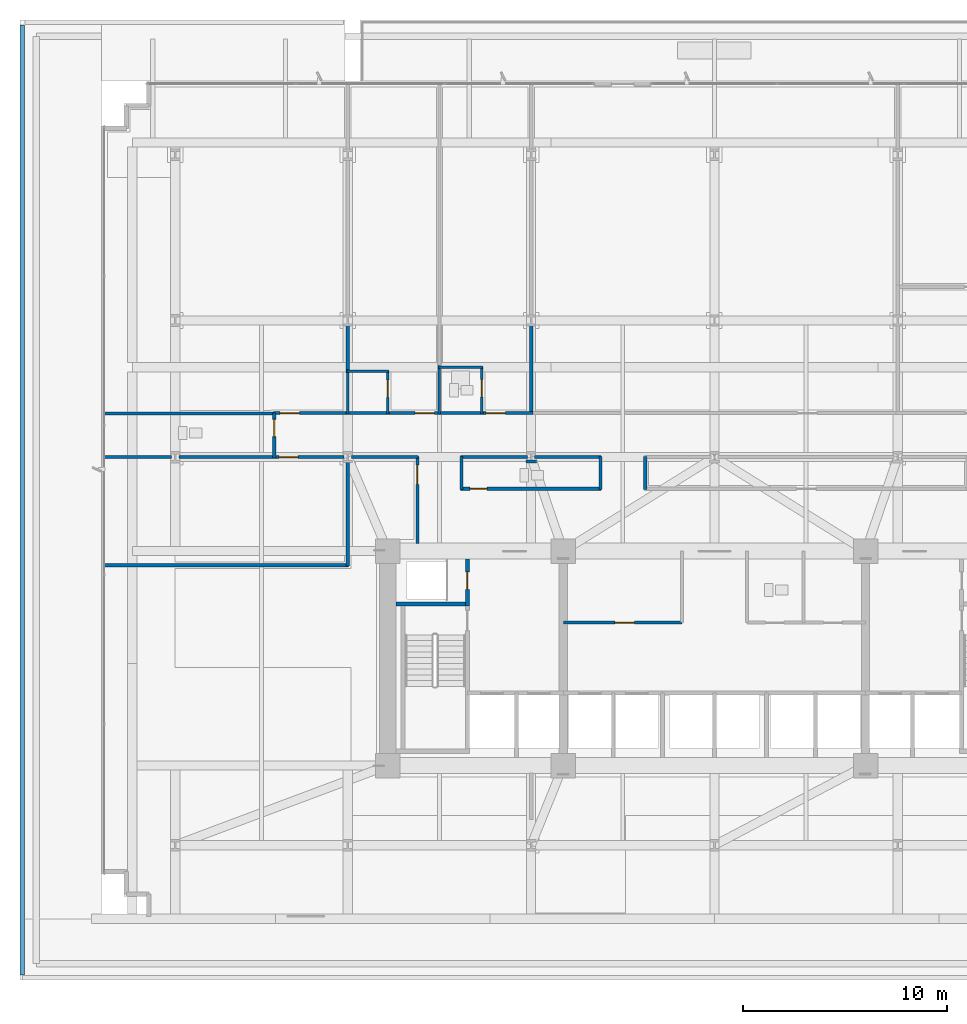
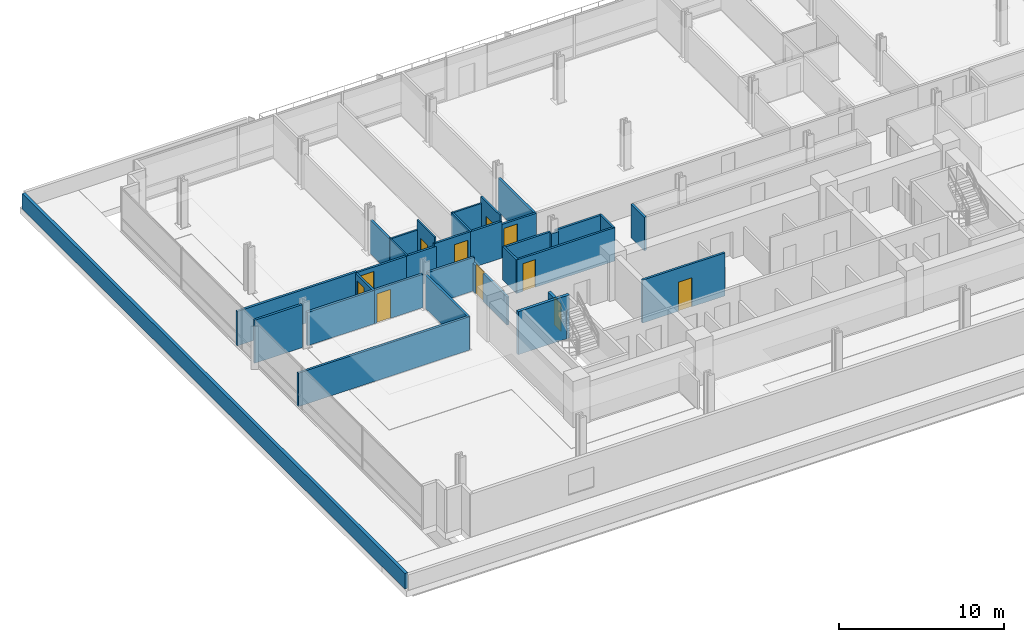
# One storey, part 18 of 25: 33 walls, 11 doors, 11 openings.
"""IFC4 building model written with IfcOpenShell, lengths in metres."""

from ifc_helpers import new_model, si_unit, direction, frame, frame_2d, origin, place, context, subcontext, project, spatial, rectangle, extrude, material, layer, layer_set, type_object, element, fill, save


model = new_model("IFC4")

# Units and contexts
model_context = context("Model", 3, precision=1e-05, world=origin(), true_north=direction((0.0, 1.0)))
body_context = subcontext(model_context, "Body", "Model", "MODEL_VIEW")
ifc_project = project(units=[si_unit("LENGTHUNIT", "METRE"), si_unit("AREAUNIT", "SQUARE_METRE"), si_unit("VOLUMEUNIT", "CUBIC_METRE"), si_unit("PLANEANGLEUNIT", "RADIAN"), si_unit("MASSUNIT", "GRAM", prefix="KILO")], contexts=[model_context])

# Site, building, storey
site_placement = place(None, origin())
site = spatial("IfcSite", under=ifc_project, at=site_placement, CompositionType="ELEMENT")
building_placement = place(site_placement, origin())
building = spatial("IfcBuilding", under=site, at=building_placement, Name="Solmavex Isthmus Hotel", CompositionType="ELEMENT")
storey_placement = place(building_placement, frame((0.0, 0.0, 26.39990234375)))
storey = spatial("IfcBuildingStorey", under=building, at=storey_placement, Name="L06", CompositionType="ELEMENT", Elevation=26.39990234375)

# Walls
ifc_material_1 = material(Name="Precast Concrete C40/50", Category="concrete")
ifc_layer_1 = layer(ifc_material_1, 0.219970703125)
ifc_layer_set_1 = layer_set([ifc_layer_1], Name="Precast Concrete C40/50")
wall_type_1 = type_object("IfcWallType", Name="EW-PAR-220", PredefinedType="PARAPET", material=ifc_layer_set_1)
wall_1_placement = place(storey_placement, frame((-33.8798828125, -23.260009765625, 0.0), z_axis=(0.0, 0.0, 1.0), x_axis=(0.0, 1.0, 0.0)))
element("IfcWall", 1, at=wall_1_placement, inside=storey, type_object=wall_type_1, Name="Podium Roof Maintenance Parapet W", PredefinedType="PARAPET", context=body_context, shape_type="SweptSolid", body=[
    extrude(rectangle(XDim=46.52001953125, YDim=0.219970703125, at=frame_2d((23.260009765625, 0.0))), origin(), (0.0, 0.0, 1.0), 1.150146484375),
])
ifc_material_2 = material(Name="Gypsum plasterboard lining", Category="gypsum")
ifc_layer_2 = layer(ifc_material_2, 0.159912109375)
ifc_layer_set_2 = layer_set([ifc_layer_2], Name="Gypsum plasterboard lining")
wall_type_2 = type_object("IfcWallType", Name="IW-COMP-160", PredefinedType="PARTITIONING", material=ifc_layer_set_2)
wall_2_placement = place(storey_placement, frame((-17.951904296875, 8.613037109375, 0.0), z_axis=(0.0, 0.0, 1.0), x_axis=(0.0, -1.0, 0.0)))
element("IfcWall", 2, at=wall_2_placement, inside=storey, type_object=wall_type_2, Name="Interior Partition Wall W-L06-P032", PredefinedType="PARTITIONING", context=body_context, shape_type="SweptSolid", body=[
    extrude(rectangle(XDim=2.39501953125, YDim=0.159912109375, at=frame_2d((1.197509765625, 0.0))), origin(), (0.0, 0.0, 1.0), 2.4794921875),
])
wall_3_placement = place(storey_placement, frame((-21.511962890625, 4.22998046875, 0.0), z_axis=(0.0, 0.0, 1.0), x_axis=(-1.0, 0.0, 0.0)))
element("IfcWall", 3, at=wall_3_placement, inside=storey, type_object=wall_type_2, Name="Interior Partition Wall W-L06-P036", PredefinedType="PARTITIONING", context=body_context, shape_type="SweptSolid", body=[
    extrude(rectangle(XDim=8.407958984375, YDim=0.159912109375, at=frame_2d((4.2041015625, 0.0))), origin(), (0.0, 0.0, 1.0), 2.55322265625),
])
wall_4_placement = place(storey_placement, frame((-8.97607421875, 8.613037109375, 0.0), z_axis=(0.0, 0.0, 1.0), x_axis=(0.0, -1.0, 0.0)))
element("IfcWall", 4, at=wall_4_placement, inside=storey, type_object=wall_type_2, Name="Interior Partition Wall W-L06-P043", PredefinedType="PARTITIONING", context=body_context, shape_type="SweptSolid", body=[
    extrude(rectangle(XDim=4.403076171875, YDim=0.159912109375, at=frame_2d((2.20166015625, 0.0))), origin(), (0.0, 0.0, 1.0), 2.4794921875),
])
wall_5_placement = place(storey_placement, frame((-26.574951171875, 2.10009765625, 0.0), z_axis=(0.0, 0.0, 1.0), x_axis=(-1.0, 0.0, 0.0)))
element("IfcWall", 5, at=wall_5_placement, inside=storey, type_object=wall_type_2, Name="Interior Partition Wall W-L06-P061", PredefinedType="PARTITIONING", context=body_context, shape_type="SweptSolid", body=[
    extrude(rectangle(XDim=3.344970703125, YDim=0.159912109375, at=frame_2d((1.67236328125, 0.0))), origin(), (0.0, 0.0, 1.0), 3.190185546875),
])
wall_6_placement = place(storey_placement, frame((-21.511962890625, 2.10009765625, 0.0), z_axis=(0.0, 0.0, 1.0), x_axis=(-1.0, 0.0, 0.0)))
element("IfcWall", 6, at=wall_6_placement, inside=storey, type_object=wall_type_2, Name="Interior Partition Wall W-L06-P062", PredefinedType="PARTITIONING", context=body_context, shape_type="SweptSolid", body=[
    extrude(rectangle(XDim=4.713134765625, YDim=0.159912109375, at=frame_2d((2.3564453125, 0.0))), origin(), (0.0, 0.0, 1.0), 2.4794921875),
])
wall_7_placement = place(storey_placement, frame((-17.951904296875, 1.925048828125, 0.0), z_axis=(0.0, 0.0, 1.0), x_axis=(0.0, -1.0, 0.0)))
element("IfcWall", 7, at=wall_7_placement, inside=storey, type_object=wall_type_2, Name="Interior Partition Wall W-L06-P065", PredefinedType="PARTITIONING", context=body_context, shape_type="SweptSolid", body=[
    extrude(rectangle(XDim=5.1650390625, YDim=0.159912109375, at=frame_2d((2.58251953125, 0.0))), origin(), (0.0, 0.0, 1.0), 2.4794921875),
])
wall_8_placement = place(storey_placement, frame((-17.912109375, -3.199951171875, 0.0), z_axis=(0.0, 0.0, 1.0), x_axis=(-1.0, 0.0, 0.0)))
element("IfcWall", 8, at=wall_8_placement, inside=storey, type_object=wall_type_2, Name="Interior Partition Wall W-L06-P066", PredefinedType="PARTITIONING", context=body_context, shape_type="SweptSolid", body=[
    extrude(rectangle(XDim=12.0078125, YDim=0.159912109375, at=frame_2d((6.00390625, 0.0))), origin(), (0.0, 0.0, 1.0), 2.4794921875),
])

# Wall, opening, door
ifc_layer_3 = layer(ifc_material_2, 0.14990234375)
ifc_layer_set_3 = layer_set([ifc_layer_3], Name="Gypsum plasterboard lining")
wall_type_3 = type_object("IfcWallType", Name="IW-CORR-150", PredefinedType="PARTITIONING", material=ifc_layer_set_3)
wall_9_placement = place(storey_placement, frame((-7.39990234375, -6.0, 0.0), z_axis=(0.0, 0.0, 1.0), x_axis=(1.0, 0.0, 0.0)))
wall_9 = element("IfcWall", 9, at=wall_9_placement, inside=storey, type_object=wall_type_3, Name="Interior Partition Wall W-L06-BOH-WS", PredefinedType="PARTITIONING", context=body_context, shape_type="SweptSolid", body=[
    extrude(rectangle(XDim=5.7998046875, YDim=0.14990234375, at=frame_2d((2.89990234375, 0.0))), origin(), (0.0, 0.0, 1.0), 3.190185546875),
])
opening_1_placement = place(wall_9_placement, frame((2.52490234375, 0.0, 0.0)))
opening_1 = element("IfcOpeningElement", 10, at=opening_1_placement, cuts=wall_9, Name="Opening ID-C095", PredefinedType="OPENING", context=body_context, shape_type="SweptSolid", body=[
    extrude(rectangle(XDim=0.949951171875, YDim=2.14990234375, at=frame_2d((0.47509765625, 1.074951171875))), frame((0.0, 0.0849609375, 0.0), z_axis=(0.0, -1.0, 0.0), x_axis=(1.0, 0.0, 0.0)), (0.0, 0.0, 1.0), 0.169921875),
])
ifc_material_3 = material(Name="Hardwood timber", Category="wood")
door_type_1 = type_object("IfcDoorType", Name="IDR-FD60-0950", OperationType="NOTDEFINED", PredefinedType="DOOR", material=ifc_material_3)
door_1_placement = place(opening_1_placement, frame((0.949951171875, 0.0, 0.0), z_axis=(0.0, 0.0, 1.0), x_axis=(-1.0, 0.0, 0.0)))
door_1 = element("IfcDoor", 11, at=door_1_placement, inside=storey, type_object=door_type_1, Name="Housekeeping Room Door L06", OperationType="SINGLE_SWING_LEFT", OverallHeight=2.14990234375, OverallWidth=0.949951171875, PredefinedType="DOOR", context=body_context, shape_type="SweptSolid", body=[
    extrude(rectangle(XDim=0.949951171875, YDim=2.14990234375, at=frame_2d((0.47509765625, 1.074951171875))), frame((0.0, 0.02490234375, 0.0), z_axis=(0.0, -1.0, 0.0), x_axis=(1.0, 0.0, 0.0)), (0.0, 0.0, 1.0), 0.050048828125),
])
fill(opening_1, door_1)

wall_10_placement = place(storey_placement, frame((-21.592041015625, 4.25, 0.0), z_axis=(0.0, 0.0, 1.0), x_axis=(1.0, 0.0, 0.0)))
wall_10 = element("IfcWall", 12, at=wall_10_placement, inside=storey, type_object=wall_type_3, Name="Interior Partition Wall W-L06-P001", PredefinedType="PARTITIONING", context=body_context, shape_type="SweptSolid", body=[
    extrude(rectangle(XDim=3.721923828125, YDim=0.14990234375, at=frame_2d((1.86083984375, 0.0))), origin(), (0.0, 0.0, 1.0), 2.4794921875),
])
opening_2_placement = place(wall_10_placement, frame((0.315185546875, 0.0, 0.0)))
opening_2 = element("IfcOpeningElement", 13, at=opening_2_placement, cuts=wall_10, Name="Opening ID-C095", PredefinedType="OPENING", context=body_context, shape_type="SweptSolid", body=[
    extrude(rectangle(XDim=0.949951171875, YDim=2.14990234375, at=frame_2d((0.47509765625, 1.074951171875))), frame((0.0, 0.0849609375, 0.0), z_axis=(0.0, -1.0, 0.0), x_axis=(1.0, 0.0, 0.0)), (0.0, 0.0, 1.0), 0.169921875),
])
door_2_placement = place(opening_2_placement, origin())
door_2 = element("IfcDoor", 14, at=door_2_placement, inside=storey, type_object=door_type_1, Name="Corporate Briefing Office Door L06-01", OperationType="SINGLE_SWING_LEFT", OverallHeight=2.14990234375, OverallWidth=0.949951171875, PredefinedType="DOOR", context=body_context, shape_type="SweptSolid", body=[
    extrude(rectangle(XDim=0.949951171875, YDim=2.14990234375, at=frame_2d((0.47509765625, 1.074951171875))), frame((0.0, 0.02490234375, 0.0), z_axis=(0.0, -1.0, 0.0), x_axis=(1.0, 0.0, 0.0)), (0.0, 0.0, 1.0), 0.050048828125),
])
fill(opening_2, door_2)

wall_11_placement = place(storey_placement, frame((-16.083984375, 4.25, 0.0), z_axis=(0.0, 0.0, 1.0), x_axis=(1.0, 0.0, 0.0)))
wall_11 = element("IfcWall", 15, at=wall_11_placement, inside=storey, type_object=wall_type_3, Name="Interior Partition Wall W-L06-P002", PredefinedType="PARTITIONING", context=body_context, shape_type="SweptSolid", body=[
    extrude(rectangle(XDim=2.701904296875, YDim=0.14990234375, at=frame_2d((1.35107421875, 0.0))), origin(), (0.0, 0.0, 1.0), 2.71826171875),
])
opening_3_placement = place(wall_11_placement, frame((1.426513671875, 0.0, 0.0)))
opening_3 = element("IfcOpeningElement", 16, at=opening_3_placement, cuts=wall_11, Name="Opening ID-C095", PredefinedType="OPENING", context=body_context, shape_type="SweptSolid", body=[
    extrude(rectangle(XDim=0.949951171875, YDim=2.14990234375, at=frame_2d((0.47509765625, 1.074951171875))), frame((0.0, 0.0849609375, 0.0), z_axis=(0.0, -1.0, 0.0), x_axis=(1.0, 0.0, 0.0)), (0.0, 0.0, 1.0), 0.169921875),
])
door_3_placement = place(opening_3_placement, origin())
door_3 = element("IfcDoor", 17, at=door_3_placement, inside=storey, type_object=door_type_1, Name="Deluxe Guest Room Door L06-02", OperationType="SINGLE_SWING_RIGHT", OverallHeight=2.14990234375, OverallWidth=0.949951171875, PredefinedType="DOOR", context=body_context, shape_type="SweptSolid", body=[
    extrude(rectangle(XDim=0.949951171875, YDim=2.14990234375, at=frame_2d((0.47509765625, 1.074951171875))), frame((0.0, 0.02490234375, 0.0), z_axis=(0.0, -1.0, 0.0), x_axis=(1.0, 0.0, 0.0)), (0.0, 0.0, 1.0), 0.050048828125),
])
fill(opening_3, door_3)

# Wall
wall_12_placement = place(storey_placement, frame((-18.033935546875, 4.25, 0.0), z_axis=(0.0, 0.0, 1.0), x_axis=(1.0, 0.0, 0.0)))
element("IfcWall", 18, at=wall_12_placement, inside=storey, type_object=wall_type_3, Name="Interior Partition Wall W-L06-P003", PredefinedType="PARTITIONING", context=body_context, shape_type="SweptSolid", body=[
    extrude(rectangle(XDim=2.114013671875, YDim=0.14990234375, at=frame_2d((1.05712890625, 0.0))), origin(), (0.0, 0.0, 1.0), 2.4794921875),
])

# Wall, opening, door
wall_13_placement = place(storey_placement, frame((-11.4814453125, 4.25, 0.0), z_axis=(0.0, 0.0, 1.0), x_axis=(1.0, 0.0, 0.0)))
wall_13 = element("IfcWall", 19, at=wall_13_placement, inside=storey, type_object=wall_type_3, Name="Interior Partition Wall W-L06-P004", PredefinedType="PARTITIONING", context=body_context, shape_type="SweptSolid", body=[
    extrude(rectangle(XDim=2.58740234375, YDim=0.14990234375, at=frame_2d((1.293701171875, 0.0))), origin(), (0.0, 0.0, 1.0), 2.4794921875),
])
opening_4_placement = place(wall_13_placement, frame((0.292236328125, 0.0, 0.0)))
opening_4 = element("IfcOpeningElement", 20, at=opening_4_placement, cuts=wall_13, Name="Opening ID-C095", PredefinedType="OPENING", context=body_context, shape_type="SweptSolid", body=[
    extrude(rectangle(XDim=0.949951171875, YDim=2.14990234375, at=frame_2d((0.47509765625, 1.074951171875))), frame((0.0, 0.0849609375, 0.0), z_axis=(0.0, -1.0, 0.0), x_axis=(1.0, 0.0, 0.0)), (0.0, 0.0, 1.0), 0.169921875),
])
door_4_placement = place(opening_4_placement, origin())
door_4 = element("IfcDoor", 21, at=door_4_placement, inside=storey, type_object=door_type_1, Name="Superior King Room Door L06-04", OperationType="SINGLE_SWING_RIGHT", OverallHeight=2.14990234375, OverallWidth=0.949951171875, PredefinedType="DOOR", context=body_context, shape_type="SweptSolid", body=[
    extrude(rectangle(XDim=0.949951171875, YDim=2.14990234375, at=frame_2d((0.47509765625, 1.074951171875))), frame((0.0, 0.02490234375, 0.0), z_axis=(0.0, -1.0, 0.0), x_axis=(1.0, 0.0, 0.0)), (0.0, 0.0, 1.0), 0.050048828125),
])
fill(opening_4, door_4)

# Walls
wall_14_placement = place(storey_placement, frame((-13.5458984375, 4.25, 0.0), z_axis=(0.0, 0.0, 1.0), x_axis=(1.0, 0.0, 0.0)))
element("IfcWall", 22, at=wall_14_placement, inside=storey, type_object=wall_type_3, Name="Interior Partition Wall W-L06-P005", PredefinedType="PARTITIONING", context=body_context, shape_type="SweptSolid", body=[
    extrude(rectangle(XDim=2.228271484375, YDim=0.14990234375, at=frame_2d((1.1142578125, 0.0))), origin(), (0.0, 0.0, 1.0), 2.71826171875),
])
wall_15_placement = place(storey_placement, frame((-5.548095703125, 2.10009765625, 0.0), z_axis=(0.0, 0.0, 1.0), x_axis=(-1.0, 0.0, 0.0)))
element("IfcWall", 23, at=wall_15_placement, inside=storey, type_object=wall_type_3, Name="Interior Partition Wall W-L06-P010", PredefinedType="PARTITIONING", context=body_context, shape_type="SweptSolid", body=[
    extrude(rectangle(XDim=3.2529296875, YDim=0.14990234375, at=frame_2d((1.62646484375, 0.0))), origin(), (0.0, 0.0, 1.0), 2.4794921875),
])
wall_16_placement = place(storey_placement, frame((-8.720947265625, 1.885009765625, 0.0), z_axis=(0.0, 0.0, 1.0), x_axis=(-1.0, 0.0, 0.0)))
element("IfcWall", 24, at=wall_16_placement, inside=storey, type_object=wall_type_3, Name="Interior Partition Wall W-L06-P011", PredefinedType="PARTITIONING", context=body_context, shape_type="SweptSolid", body=[
    extrude(rectangle(XDim=0.510009765625, YDim=0.14990234375, at=frame_2d((0.2548828125, 0.0))), origin(), (0.0, 0.0, 1.0), 2.4794921875),
])
wall_17_placement = place(storey_placement, frame((-9.15087890625, 2.10009765625, 0.0), z_axis=(0.0, 0.0, 1.0), x_axis=(-1.0, 0.0, 0.0)))
element("IfcWall", 25, at=wall_17_placement, inside=storey, type_object=wall_type_3, Name="Interior Partition Wall W-L06-P012", PredefinedType="PARTITIONING", context=body_context, shape_type="SweptSolid", body=[
    extrude(rectangle(XDim=3.273193359375, YDim=0.14990234375, at=frame_2d((1.63671875, 0.0))), origin(), (0.0, 0.0, 1.0), 2.4794921875),
])
wall_18_placement = place(storey_placement, frame((-12.384033203125, 2.139892578125, 0.0), z_axis=(0.0, 0.0, 1.0), x_axis=(0.0, -1.0, 0.0)))
element("IfcWall", 26, at=wall_18_placement, inside=storey, type_object=wall_type_3, Name="Interior Partition Wall W-L06-P013", PredefinedType="PARTITIONING", context=body_context, shape_type="SweptSolid", body=[
    extrude(rectangle(XDim=1.6298828125, YDim=0.14990234375, at=frame_2d((0.81494140625, 0.0))), origin(), (0.0, 0.0, 1.0), 2.4794921875),
])

# Wall, opening, door
wall_19_placement = place(storey_placement, frame((-12.424072265625, 0.550048828125, 0.0), z_axis=(0.0, 0.0, 1.0), x_axis=(1.0, 0.0, 0.0)))
wall_19 = element("IfcWall", 27, at=wall_19_placement, inside=storey, type_object=wall_type_3, Name="Interior Partition Wall W-L06-P014", PredefinedType="PARTITIONING", context=body_context, shape_type="SweptSolid", body=[
    extrude(rectangle(XDim=6.8759765625, YDim=0.14990234375, at=frame_2d((3.43798828125, 0.0))), origin(), (0.0, 0.0, 1.0), 2.4794921875),
])
opening_5_placement = place(wall_19_placement, frame((0.444091796875, 0.0, 0.0)))
opening_5 = element("IfcOpeningElement", 28, at=opening_5_placement, cuts=wall_19, Name="Opening ID-R085", PredefinedType="OPENING", context=body_context, shape_type="SweptSolid", body=[
    extrude(rectangle(XDim=0.85009765625, YDim=2.050048828125, at=frame_2d((0.425048828125, 1.02490234375))), frame((0.0, 0.0849609375, 0.0), z_axis=(0.0, -1.0, 0.0), x_axis=(1.0, 0.0, 0.0)), (0.0, 0.0, 1.0), 0.169921875),
])
ifc_material_4 = material(Name="Steel ASTM A500 Grade C", Category="steel")
door_type_2 = type_object("IfcDoorType", Name="IDR-FD60-0850", OperationType="NOTDEFINED", PredefinedType="DOOR", material=ifc_material_4)
door_5_placement = place(opening_5_placement, frame((0.85009765625, 0.0, 0.0), z_axis=(0.0, 0.0, 1.0), x_axis=(-1.0, 0.0, 0.0)))
door_5 = element("IfcDoor", 29, at=door_5_placement, inside=storey, type_object=door_type_2, Name="Accessible Public Restroom WC Door L06-12", OperationType="SINGLE_SWING_RIGHT", OverallHeight=2.050048828125, OverallWidth=0.85009765625, PredefinedType="DOOR", context=body_context, shape_type="SweptSolid", body=[
    extrude(rectangle(XDim=0.85009765625, YDim=2.050048828125, at=frame_2d((0.425048828125, 1.02490234375))), frame((0.0, 0.02490234375, 0.0), z_axis=(0.0, -1.0, 0.0), x_axis=(1.0, 0.0, 0.0)), (0.0, 0.0, 1.0), 0.050048828125),
])
fill(opening_5, door_5)

# Wall
wall_20_placement = place(storey_placement, frame((-5.587890625, 0.510009765625, 0.0), z_axis=(0.0, 0.0, 1.0), x_axis=(0.0, 1.0, 0.0)))
element("IfcWall", 30, at=wall_20_placement, inside=storey, type_object=wall_type_3, Name="Interior Partition Wall W-L06-P015", PredefinedType="PARTITIONING", context=body_context, shape_type="SweptSolid", body=[
    extrude(rectangle(XDim=1.6298828125, YDim=0.14990234375, at=frame_2d((0.81494140625, 0.0))), origin(), (0.0, 0.0, 1.0), 2.4794921875),
])

# Wall, opening, door
wall_21_placement = place(storey_placement, frame((-21.552001953125, 2.06005859375, 0.0), z_axis=(0.0, 0.0, 1.0), x_axis=(0.0, 1.0, 0.0)))
wall_21 = element("IfcWall", 31, at=wall_21_placement, inside=storey, type_object=wall_type_3, Name="Interior Partition Wall W-L06-P016", PredefinedType="PARTITIONING", context=body_context, shape_type="SweptSolid", body=[
    extrude(rectangle(XDim=2.2099609375, YDim=0.14990234375, at=frame_2d((1.10498046875, 0.0))), origin(), (0.0, 0.0, 1.0), 2.4794921875),
])
opening_6_placement = place(wall_21_placement, frame((1.037841796875, 0.0, 0.0)))
opening_6 = element("IfcOpeningElement", 32, at=opening_6_placement, cuts=wall_21, Name="Opening ID-R085", PredefinedType="OPENING", context=body_context, shape_type="SweptSolid", body=[
    extrude(rectangle(XDim=0.85009765625, YDim=2.050048828125, at=frame_2d((0.425048828125, 1.02490234375))), frame((0.0, 0.0849609375, 0.0), z_axis=(0.0, -1.0, 0.0), x_axis=(1.0, 0.0, 0.0)), (0.0, 0.0, 1.0), 0.169921875),
])
door_6_placement = place(opening_6_placement, origin())
door_6 = element("IfcDoor", 33, at=door_6_placement, inside=storey, type_object=door_type_2, Name="Public Restroom WC Door L06-13", OperationType="SINGLE_SWING_LEFT", OverallHeight=2.050048828125, OverallWidth=0.85009765625, PredefinedType="DOOR", context=body_context, shape_type="SweptSolid", body=[
    extrude(rectangle(XDim=0.85009765625, YDim=2.050048828125, at=frame_2d((0.425048828125, 1.02490234375))), frame((0.0, 0.02490234375, 0.0), z_axis=(0.0, -1.0, 0.0), x_axis=(1.0, 0.0, 0.0)), (0.0, 0.0, 1.0), 0.050048828125),
])
fill(opening_6, door_6)

# Wall
wall_22_placement = place(storey_placement, frame((-3.387939453125, 2.139892578125, 0.0), z_axis=(0.0, 0.0, 1.0), x_axis=(0.0, -1.0, 0.0)))
element("IfcWall", 34, at=wall_22_placement, inside=storey, type_object=wall_type_3, Name="Interior Partition Wall W-L06-P020", PredefinedType="PARTITIONING", context=body_context, shape_type="SweptSolid", body=[
    extrude(rectangle(XDim=1.6298828125, YDim=0.14990234375, at=frame_2d((0.81494140625, 0.0))), origin(), (0.0, 0.0, 1.0), 2.4794921875),
])

# Wall, opening, door
wall_23_placement = place(storey_placement, frame((-18.126953125, 2.10009765625, 0.0), z_axis=(0.0, 0.0, 1.0), x_axis=(-1.0, 0.0, 0.0)))
wall_23 = element("IfcWall", 35, at=wall_23_placement, inside=storey, type_object=wall_type_3, Name="Interior Partition Wall W-L06-P026", PredefinedType="PARTITIONING", context=body_context, shape_type="SweptSolid", body=[
    extrude(rectangle(XDim=3.465087890625, YDim=0.14990234375, at=frame_2d((1.732421875, 0.0))), origin(), (0.0, 0.0, 1.0), 2.4794921875),
])
opening_7_placement = place(wall_23_placement, frame((2.252685546875, 0.0, 0.0)))
opening_7 = element("IfcOpeningElement", 36, at=opening_7_placement, cuts=wall_23, Name="Opening ID-C095", PredefinedType="OPENING", context=body_context, shape_type="SweptSolid", body=[
    extrude(rectangle(XDim=0.949951171875, YDim=2.14990234375, at=frame_2d((0.47509765625, 1.074951171875))), frame((0.0, 0.0849609375, 0.0), z_axis=(0.0, -1.0, 0.0), x_axis=(1.0, 0.0, 0.0)), (0.0, 0.0, 1.0), 0.169921875),
])
door_7_placement = place(opening_7_placement, origin())
door_7 = element("IfcDoor", 37, at=door_7_placement, inside=storey, type_object=door_type_1, Name="Executive Meeting Room Door L06-16", OperationType="SINGLE_SWING_RIGHT", OverallHeight=2.14990234375, OverallWidth=0.949951171875, PredefinedType="DOOR", context=body_context, shape_type="SweptSolid", body=[
    extrude(rectangle(XDim=0.949951171875, YDim=2.14990234375, at=frame_2d((0.47509765625, 1.074951171875))), frame((0.0, 0.02490234375, 0.0), z_axis=(0.0, -1.0, 0.0), x_axis=(1.0, 0.0, 0.0)), (0.0, 0.0, 1.0), 0.050048828125),
])
fill(opening_7, door_7)

wall_24_placement = place(storey_placement, frame((-14.5439453125, -2.139892578125, 0.0), z_axis=(0.0, 0.0, 1.0), x_axis=(0.0, 1.0, 0.0)))
wall_24 = element("IfcWall", 38, at=wall_24_placement, inside=storey, type_object=wall_type_3, Name="Interior Partition Wall W-L06-P028", PredefinedType="PARTITIONING", context=body_context, shape_type="SweptSolid", body=[
    extrude(rectangle(XDim=4.27978515625, YDim=0.14990234375, at=frame_2d((2.139892578125, 0.0))), origin(), (0.0, 0.0, 1.0), 2.0751953125),
])
opening_8_placement = place(wall_24_placement, frame((2.89990234375, 0.0, 0.0)))
opening_8 = element("IfcOpeningElement", 39, at=opening_8_placement, cuts=wall_24, Name="Opening ID-C095", PredefinedType="OPENING", context=body_context, shape_type="SweptSolid", body=[
    extrude(rectangle(XDim=0.949951171875, YDim=2.14990234375, at=frame_2d((0.47509765625, 1.074951171875))), frame((0.0, 0.0849609375, 0.0), z_axis=(0.0, -1.0, 0.0), x_axis=(1.0, 0.0, 0.0)), (0.0, 0.0, 1.0), 0.169921875),
])
door_8_placement = place(opening_8_placement, frame((0.949951171875, 0.0, 0.0), z_axis=(0.0, 0.0, 1.0), x_axis=(-1.0, 0.0, 0.0)))
door_8 = element("IfcDoor", 40, at=door_8_placement, inside=storey, type_object=door_type_1, Name="Executive Meeting Room Door L06-18", OperationType="SINGLE_SWING_RIGHT", OverallHeight=2.14990234375, OverallWidth=0.949951171875, PredefinedType="DOOR", context=body_context, shape_type="SweptSolid", body=[
    extrude(rectangle(XDim=0.949951171875, YDim=2.14990234375, at=frame_2d((0.47509765625, 1.074951171875))), frame((0.0, 0.02490234375, 0.0), z_axis=(0.0, -1.0, 0.0), x_axis=(1.0, 0.0, 0.0)), (0.0, 0.0, 1.0), 0.050048828125),
])
fill(opening_8, door_8)

# Walls
wall_25_placement = place(storey_placement, frame((-14.50390625, 2.10009765625, 0.0), z_axis=(0.0, 0.0, 1.0), x_axis=(-1.0, 0.0, 0.0)))
element("IfcWall", 41, at=wall_25_placement, inside=storey, type_object=wall_type_3, Name="Interior Partition Wall W-L06-P029", PredefinedType="PARTITIONING", context=body_context, shape_type="SweptSolid", body=[
    extrude(rectangle(XDim=3.273193359375, YDim=0.14990234375, at=frame_2d((1.63671875, 0.0))), origin(), (0.0, 0.0, 1.0), 2.4794921875),
])
ifc_layer_4 = layer(ifc_material_2, 0.1201171875)
ifc_layer_set_4 = layer_set([ifc_layer_4], Name="Gypsum plasterboard lining")
wall_type_4 = type_object("IfcWallType", Name="IW-PART-120", PredefinedType="PARTITIONING", material=ifc_layer_set_4)
wall_26_placement = place(storey_placement, frame((-17.951904296875, 6.382080078125, 0.0), z_axis=(0.0, 0.0, 1.0), x_axis=(0.0, -1.0, 0.0)))
element("IfcWall", 42, at=wall_26_placement, inside=storey, type_object=wall_type_4, Name="Interior Partition Wall W-L06-P035", PredefinedType="PARTITIONING", context=body_context, shape_type="SweptSolid", body=[
    extrude(rectangle(XDim=2.172119140625, YDim=0.1201171875, at=frame_2d((1.0859375, 0.0))), origin(), (0.0, 0.0, 1.0), 2.4794921875),
])

# Wall, opening, door
wall_27_placement = place(storey_placement, frame((-16.001953125, 4.2099609375, 0.0), z_axis=(0.0, 0.0, 1.0), x_axis=(0.0, 1.0, 0.0)))
wall_27 = element("IfcWall", 43, at=wall_27_placement, inside=storey, type_object=wall_type_4, Name="Interior Partition Wall W-L06-P037", PredefinedType="PARTITIONING", context=body_context, shape_type="SweptSolid", body=[
    extrude(rectangle(XDim=2.130126953125, YDim=0.1201171875, at=frame_2d((1.06494140625, 0.0))), origin(), (0.0, 0.0, 1.0), 3.190185546875),
])
opening_9_placement = place(wall_27_placement, frame((0.812255859375, 0.0, 0.0)))
opening_9 = element("IfcOpeningElement", 44, at=opening_9_placement, cuts=wall_27, Name="Opening ID-U085", PredefinedType="OPENING", context=body_context, shape_type="SweptSolid", body=[
    extrude(rectangle(XDim=0.85009765625, YDim=2.10009765625, at=frame_2d((0.425048828125, 1.050048828125))), frame((0.0, 0.070068359375, 0.0), z_axis=(0.0, -1.0, 0.0), x_axis=(1.0, 0.0, 0.0)), (0.0, 0.0, 1.0), 0.14013671875),
])
door_type_3 = type_object("IfcDoorType", Name="IDR-UNR-0850", OperationType="NOTDEFINED", PredefinedType="DOOR", material=ifc_material_3)
door_9_placement = place(opening_9_placement, frame((0.85009765625, 0.0, 0.0), z_axis=(0.0, 0.0, 1.0), x_axis=(-1.0, 0.0, 0.0)))
door_9 = element("IfcDoor", 45, at=door_9_placement, inside=storey, type_object=door_type_3, Name="En-suite Bathroom Door L06-03", OperationType="SINGLE_SWING_LEFT", OverallHeight=2.10009765625, OverallWidth=0.85009765625, PredefinedType="DOOR", context=body_context, shape_type="SweptSolid", body=[
    extrude(rectangle(XDim=0.85009765625, YDim=2.10009765625, at=frame_2d((0.425048828125, 1.050048828125))), frame((0.0, 0.02490234375, 0.0), z_axis=(0.0, -1.0, 0.0), x_axis=(1.0, 0.0, 0.0)), (0.0, 0.0, 1.0), 0.050048828125),
])
fill(opening_9, door_9)

# Walls
wall_28_placement = place(storey_placement, frame((-15.9619140625, 6.300048828125, 0.0), z_axis=(0.0, 0.0, 1.0), x_axis=(-1.0, 0.0, 0.0)))
element("IfcWall", 46, at=wall_28_placement, inside=storey, type_object=wall_type_4, Name="Interior Partition Wall W-L06-P038", PredefinedType="PARTITIONING", context=body_context, shape_type="SweptSolid", body=[
    extrude(rectangle(XDim=2.030029296875, YDim=0.1201171875, at=frame_2d((1.01513671875, 0.0))), origin(), (0.0, 0.0, 1.0), 2.4794921875),
])
wall_29_placement = place(storey_placement, frame((-13.464111328125, 6.58203125, 0.0), z_axis=(0.0, 0.0, 1.0), x_axis=(0.0, -1.0, 0.0)))
element("IfcWall", 47, at=wall_29_placement, inside=storey, type_object=wall_type_4, Name="Interior Partition Wall W-L06-P040", PredefinedType="PARTITIONING", context=body_context, shape_type="SweptSolid", body=[
    extrude(rectangle(XDim=2.3720703125, YDim=0.1201171875, at=frame_2d((1.18603515625, 0.0))), origin(), (0.0, 0.0, 1.0), 2.71826171875),
])

# Wall, opening, door
wall_30_placement = place(storey_placement, frame((-11.3994140625, 4.2099609375, 0.0), z_axis=(0.0, 0.0, 1.0), x_axis=(0.0, 1.0, 0.0)))
wall_30 = element("IfcWall", 48, at=wall_30_placement, inside=storey, type_object=wall_type_4, Name="Interior Partition Wall W-L06-P041", PredefinedType="PARTITIONING", context=body_context, shape_type="SweptSolid", body=[
    extrude(rectangle(XDim=2.330078125, YDim=0.1201171875, at=frame_2d((1.1650390625, 0.0))), origin(), (0.0, 0.0, 1.0), 3.190185546875),
])
opening_10_placement = place(wall_30_placement, frame((0.83447265625, 0.0, 0.0)))
opening_10 = element("IfcOpeningElement", 49, at=opening_10_placement, cuts=wall_30, Name="Opening ID-U085", PredefinedType="OPENING", context=body_context, shape_type="SweptSolid", body=[
    extrude(rectangle(XDim=0.85009765625, YDim=2.10009765625, at=frame_2d((0.425048828125, 1.050048828125))), frame((0.0, 0.070068359375, 0.0), z_axis=(0.0, -1.0, 0.0), x_axis=(1.0, 0.0, 0.0)), (0.0, 0.0, 1.0), 0.14013671875),
])
door_10_placement = place(opening_10_placement, origin())
door_10 = element("IfcDoor", 50, at=door_10_placement, inside=storey, type_object=door_type_3, Name="En-suite Bathroom Door L06-05", OperationType="SINGLE_SWING_LEFT", OverallHeight=2.10009765625, OverallWidth=0.85009765625, PredefinedType="DOOR", context=body_context, shape_type="SweptSolid", body=[
    extrude(rectangle(XDim=0.85009765625, YDim=2.10009765625, at=frame_2d((0.425048828125, 1.050048828125))), frame((0.0, 0.02490234375, 0.0), z_axis=(0.0, -1.0, 0.0), x_axis=(1.0, 0.0, 0.0)), (0.0, 0.0, 1.0), 0.050048828125),
])
fill(opening_10, door_10)

# Wall
wall_31_placement = place(storey_placement, frame((-11.359619140625, 6.5, 0.0), z_axis=(0.0, 0.0, 1.0), x_axis=(-1.0, 0.0, 0.0)))
element("IfcWall", 51, at=wall_31_placement, inside=storey, type_object=wall_type_4, Name="Interior Partition Wall W-L06-P042", PredefinedType="PARTITIONING", context=body_context, shape_type="SweptSolid", body=[
    extrude(rectangle(XDim=2.144287109375, YDim=0.1201171875, at=frame_2d((1.072265625, 0.0))), origin(), (0.0, 0.0, 1.0), 2.71826171875),
])

# Wall, opening, door
ifc_material_5 = material(Name="Concrete C40/50", Category="concrete")
ifc_layer_5 = layer(ifc_material_5, 0.199951171875)
ifc_layer_set_5 = layer_set([ifc_layer_5], Name="Concrete C40/50")
wall_type_5 = type_object("IfcWallType", Name="IW-SHAFT-200", PredefinedType="PARTITIONING", material=ifc_layer_set_5)
wall_32_placement = place(storey_placement, frame((-12.10009765625, -5.199951171875, 0.0), z_axis=(0.0, 0.0, 1.0), x_axis=(0.0, 1.0, 0.0)))
wall_32 = element("IfcWall", 52, at=wall_32_placement, inside=storey, type_object=wall_type_5, Name="Interior Partition Wall W-L06-RSW-E", PredefinedType="PARTITIONING", context=body_context, shape_type="SweptSolid", body=[
    extrude(rectangle(XDim=2.300048828125, YDim=0.199951171875, at=frame_2d((1.14990234375, 0.0))), origin(), (0.0, 0.0, 1.0), 2.0751953125),
])
opening_11_placement = place(wall_32_placement, frame((0.824951171875, 0.0, 0.0)))
opening_11 = element("IfcOpeningElement", 53, at=opening_11_placement, cuts=wall_32, Name="Opening ID-R085", PredefinedType="OPENING", context=body_context, shape_type="SweptSolid", body=[
    extrude(rectangle(XDim=0.85009765625, YDim=2.050048828125, at=frame_2d((0.425048828125, 1.02490234375))), frame((0.0, 0.10986328125, 0.0), z_axis=(0.0, -1.0, 0.0), x_axis=(1.0, 0.0, 0.0)), (0.0, 0.0, 1.0), 0.219970703125),
])
door_11_placement = place(opening_11_placement, origin())
door_11 = element("IfcDoor", 54, at=door_11_placement, inside=storey, type_object=door_type_2, Name="Electrical Riser Door L06", OperationType="SINGLE_SWING_RIGHT", OverallHeight=2.050048828125, OverallWidth=0.85009765625, PredefinedType="DOOR", context=body_context, shape_type="SweptSolid", body=[
    extrude(rectangle(XDim=0.85009765625, YDim=2.050048828125, at=frame_2d((0.425048828125, 1.02490234375))), frame((0.0, 0.02490234375, 0.0), z_axis=(0.0, -1.0, 0.0), x_axis=(1.0, 0.0, 0.0)), (0.0, 0.0, 1.0), 0.050048828125),
])
fill(opening_11, door_11)

# Wall
ifc_layer_6 = layer(ifc_material_5, 0.199951171875)
ifc_layer_set_6 = layer_set([ifc_layer_6], Name="Concrete C40/50")
wall_type_6 = type_object("IfcWallType", Name="WALL-SW-200", PredefinedType="SOLIDWALL", material=ifc_layer_set_6)
wall_33_placement = place(storey_placement, frame((-15.60009765625, -5.10009765625, 0.0), z_axis=(0.0, 0.0, 1.0), x_axis=(1.0, 0.0, 0.0)))
element("IfcWall", 55, at=wall_33_placement, inside=storey, type_object=wall_type_6, Name="Stairwell Structural Wall SW-L06-ST1-N", PredefinedType="SOLIDWALL", context=body_context, shape_type="SweptSolid", body=[
    extrude(rectangle(XDim=3.60009765625, YDim=0.199951171875, at=frame_2d((1.800048828125, 0.0))), origin(), (0.0, 0.0, 1.0), 3.190185546875),
])

save(model, "model.ifc")
